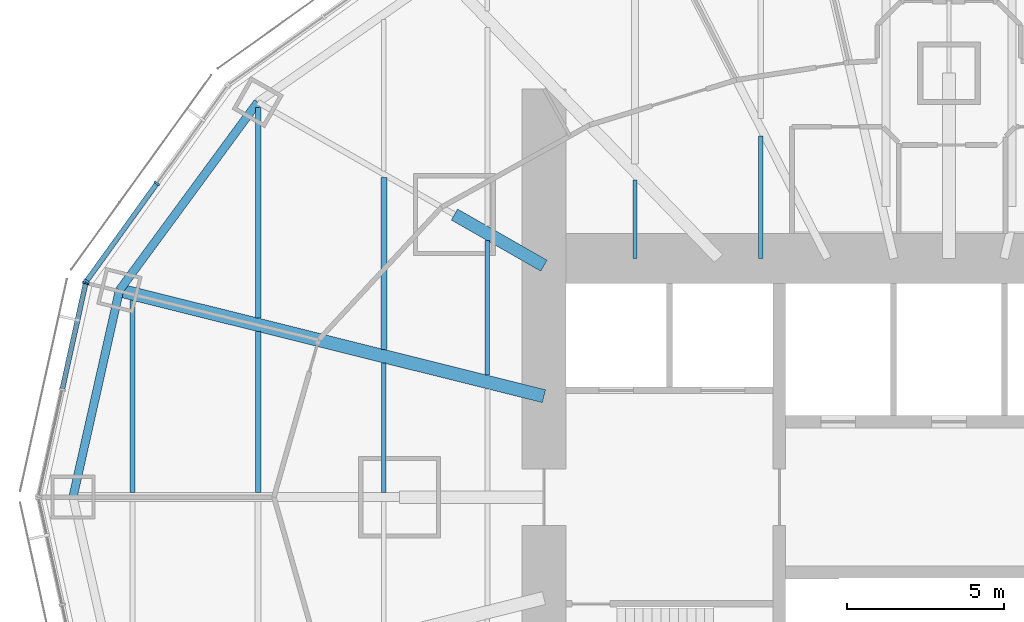
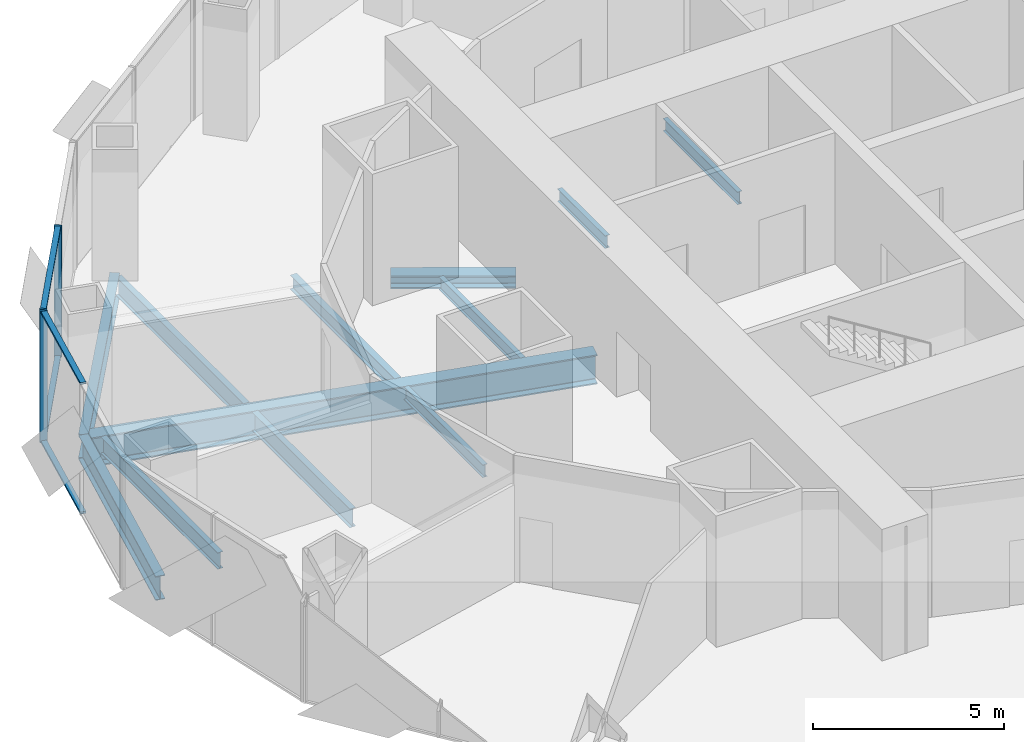
# One storey, part 4 of 17: 12 beams, 7 members, 2 elements without a shape of their own.
"""IFC4 building model written with IfcOpenShell, lengths in metres."""

from ifc_helpers import new_model, si_unit, direction, frame, origin, origin_2d, place, context, subcontext, project, spatial, rectangle, i_section, extrude, material, material_profile, profile_set, type_object, element, aggregate, save


model = new_model("IFC4")

# Units and contexts
model_context = context("Model", 3, precision=1e-05, world=origin(), true_north=direction((0.0, 1.0)))
body_context = subcontext(model_context, "Body", "Model", "MODEL_VIEW")
ifc_project = project(units=[si_unit("LENGTHUNIT", "METRE"), si_unit("AREAUNIT", "SQUARE_METRE"), si_unit("VOLUMEUNIT", "CUBIC_METRE"), si_unit("PLANEANGLEUNIT", "RADIAN"), si_unit("MASSUNIT", "GRAM", prefix="KILO")], contexts=[model_context])

# Site, building, storey
site_placement = place(None, origin())
site = spatial("IfcSite", under=ifc_project, at=site_placement, CompositionType="ELEMENT")
building_placement = place(site_placement, origin())
building = spatial("IfcBuilding", under=site, at=building_placement, Name="Lantaw Convention Tower", CompositionType="ELEMENT")
storey_placement = place(building_placement, frame((0.0, 0.0, 155.199951171875)))
storey = spatial("IfcBuildingStorey", under=building, at=storey_placement, Name="L36", CompositionType="ELEMENT", Elevation=155.199951171875)

# Beams
ifc_material_1 = material(Name="Steel ASTM A992", Category="steel")
ifc_material_profile_1 = material_profile(ifc_material_1, i_section(OverallWidth=0.2666015625, OverallDepth=0.76953125, WebThickness=0.015625, FlangeThickness=0.025390625, FilletRadius=0.0126953125, at=origin_2d()), Name="W30X132")
ifc_profile_set_1 = profile_set([ifc_material_profile_1], Name="Steel ASTM A992")
beam_type_1 = type_object("IfcBeamType", Name="Beam E W30X132", PredefinedType="SPANDREL", material=ifc_profile_set_1)
beam_1_placement = place(storey_placement, frame((-22.013916015625, 12.579345703125, -0.53466796875), z_axis=(-0.5923891972, -0.805651934176, 0.0), x_axis=(0.805651934176, -0.5923891972, 0.0)))
element("IfcBeam", 1, at=beam_1_placement, inside=storey, type_object=beam_type_1, Name="Edge beam 11", PredefinedType="SPANDREL", context=body_context, shape_type="SweptSolid", body=[
    extrude(i_section(OverallWidth=0.2666015625, OverallDepth=0.76953125, WebThickness=0.015625, FlangeThickness=0.025390625, FilletRadius=0.0126953125, at=origin_2d()), origin(), (0.0, 0.0, 1.0), 7.437744140625),
])
beam_2_placement = place(storey_placement, frame((-26.419921875, 6.587158203125, -0.53466796875), z_axis=(-0.219211877447, -0.975677279015, 0.0), x_axis=(0.975677279015, -0.219211877447, 0.0)))
element("IfcBeam", 2, at=beam_2_placement, inside=storey, type_object=beam_type_1, Name="Edge beam 12", PredefinedType="SPANDREL", context=body_context, shape_type="SweptSolid", body=[
    extrude(i_section(OverallWidth=0.2666015625, OverallDepth=0.76953125, WebThickness=0.015625, FlangeThickness=0.025390625, FilletRadius=0.0126953125, at=origin_2d()), origin(), (0.0, 0.0, 1.0), 6.75146484375),
])
ifc_material_profile_2 = material_profile(ifc_material_1, i_section(OverallWidth=0.421630859375, OverallDepth=0.937255859375, WebThickness=0.0224609375, FlangeThickness=0.039794921875, FilletRadius=0.02001953125, at=origin_2d()), Name="W36X282")
ifc_profile_set_2 = profile_set([ifc_material_profile_2], Name="Steel ASTM A992")
beam_type_2 = type_object("IfcBeamType", Name="Beam G W36X282", PredefinedType="BEAM", material=ifc_profile_set_2)
beam_3_placement = place(storey_placement, frame((-12.89990234375, 3.21630859375, -0.61865234375), z_axis=(-0.970296903132, 0.24191717544, 0.0), x_axis=(-0.24191717544, -0.970296903132, 0.0)))
element("IfcBeam", 3, at=beam_3_placement, inside=storey, type_object=beam_type_2, Name="Floor girder on ray 12", PredefinedType="BEAM", context=body_context, shape_type="SweptSolid", body=[
    extrude(i_section(OverallWidth=0.421630859375, OverallDepth=0.937255859375, WebThickness=0.0224609375, FlangeThickness=0.039794921875, FilletRadius=0.02001953125, at=origin_2d()), origin(), (0.0, 0.0, 1.0), 13.933837890625),
])
ifc_material_profile_3 = material_profile(ifc_material_1, i_section(OverallWidth=0.40380859375, OverallDepth=0.406494140625, WebThickness=0.027099609375, FlangeThickness=0.043701171875, FilletRadius=0.01513671875, at=origin_2d()), Name="W14X233")
ifc_profile_set_3 = profile_set([ifc_material_profile_3], Name="Steel ASTM A992")
beam_type_3 = type_object("IfcBeamType", Name="Beam GM W14X233", PredefinedType="BEAM", material=ifc_profile_set_3)
beam_4_placement = place(storey_placement, frame((-12.89990234375, 7.371337890625, -0.353271484375), z_axis=(-0.868238565244, 0.496146947811, 0.0), x_axis=(-0.496146947811, -0.868238565244, 0.0)))
element("IfcBeam", 4, at=beam_4_placement, inside=storey, type_object=beam_type_3, Name="Core link beam on ray 11", PredefinedType="BEAM", context=body_context, shape_type="SweptSolid", body=[
    extrude(i_section(OverallWidth=0.40380859375, OverallDepth=0.406494140625, WebThickness=0.027099609375, FlangeThickness=0.043701171875, FilletRadius=0.01513671875, at=origin_2d()), origin(), (0.0, 0.0, 1.0), 3.28271484375),
])
ifc_material_profile_4 = material_profile(ifc_material_1, i_section(OverallWidth=0.140380859375, OverallDepth=0.40380859375, WebThickness=0.007080078125, FlangeThickness=0.01123046875, FilletRadius=0.01025390625, at=origin_2d()), Name="W16X31")
ifc_profile_set_4 = profile_set([ifc_material_profile_4], Name="Steel ASTM A992")
beam_type_4 = type_object("IfcBeamType", Name="Beam J W16X31", PredefinedType="JOIST", material=ifc_profile_set_4)
beam_5_placement = place(storey_placement, frame((-18.0, 0.14599609375, -0.351806640625), z_axis=(0.0, 1.0, 0.0), x_axis=(-1.0, 0.0, 0.0)))
element("IfcBeam", 5, at=beam_5_placement, inside=storey, type_object=beam_type_4, Name="Floor joist", PredefinedType="JOIST", context=body_context, shape_type="SweptSolid", body=[
    extrude(i_section(OverallWidth=0.140380859375, OverallDepth=0.40380859375, WebThickness=0.007080078125, FlangeThickness=0.01123046875, FilletRadius=0.01025390625, at=origin_2d()), origin(), (0.0, 0.0, 1.0), 4.124755859375),
])
beam_6_placement = place(storey_placement, frame((-14.699951171875, 3.88232421875, -0.351806640625), z_axis=(0.0, 1.0, 0.0), x_axis=(-1.0, 0.0, 0.0)))
element("IfcBeam", 6, at=beam_6_placement, inside=storey, type_object=beam_type_4, Name="Floor joist", PredefinedType="JOIST", context=body_context, shape_type="SweptSolid", body=[
    extrude(i_section(OverallWidth=0.140380859375, OverallDepth=0.40380859375, WebThickness=0.007080078125, FlangeThickness=0.01123046875, FilletRadius=0.01025390625, at=origin_2d()), origin(), (0.0, 0.0, 1.0), 4.28515625),
])
beam_7_placement = place(storey_placement, frame((-10.0, 7.60009765625, -0.351806640625), z_axis=(0.0, 1.0, 0.0), x_axis=(-1.0, 0.0, 0.0)))
element("IfcBeam", 7, at=beam_7_placement, inside=storey, type_object=beam_type_4, Name="Floor joist", PredefinedType="JOIST", context=body_context, shape_type="SweptSolid", body=[
    extrude(i_section(OverallWidth=0.140380859375, OverallDepth=0.40380859375, WebThickness=0.007080078125, FlangeThickness=0.01123046875, FilletRadius=0.01025390625, at=origin_2d()), origin(), (0.0, 0.0, 1.0), 2.49560546875),
])
beam_8_placement = place(storey_placement, frame((-6.0, 7.60009765625, -0.351806640625), z_axis=(0.0, 1.0, 0.0), x_axis=(-1.0, 0.0, 0.0)))
element("IfcBeam", 8, at=beam_8_placement, inside=storey, type_object=beam_type_4, Name="Floor joist", PredefinedType="JOIST", context=body_context, shape_type="SweptSolid", body=[
    extrude(i_section(OverallWidth=0.140380859375, OverallDepth=0.40380859375, WebThickness=0.007080078125, FlangeThickness=0.01123046875, FilletRadius=0.01025390625, at=origin_2d()), origin(), (0.0, 0.0, 1.0), 3.895751953125),
])
ifc_material_profile_5 = material_profile(ifc_material_1, i_section(OverallWidth=0.1904296875, OverallDepth=0.457275390625, WebThickness=0.009033203125, FlangeThickness=0.014404296875, FilletRadius=0.01025390625, at=origin_2d()), Name="W18X50")
ifc_profile_set_5 = profile_set([ifc_material_profile_5], Name="Steel ASTM A992")
beam_type_5 = type_object("IfcBeamType", Name="Beam J W18X50", PredefinedType="JOIST", material=ifc_profile_set_5)
beam_9_placement = place(storey_placement, frame((-18.0, 4.705078125, -0.378662109375), z_axis=(0.0, 1.0, 0.0), x_axis=(-1.0, 0.0, 0.0)))
element("IfcBeam", 9, at=beam_9_placement, inside=storey, type_object=beam_type_5, Name="Floor joist", PredefinedType="JOIST", context=body_context, shape_type="SweptSolid", body=[
    extrude(i_section(OverallWidth=0.1904296875, OverallDepth=0.457275390625, WebThickness=0.009033203125, FlangeThickness=0.014404296875, FilletRadius=0.01025390625, at=origin_2d()), origin(), (0.0, 0.0, 1.0), 5.47802734375),
])
ifc_material_profile_6 = material_profile(ifc_material_1, i_section(OverallWidth=0.1650390625, OverallDepth=0.52587890625, WebThickness=0.0087890625, FlangeThickness=0.011474609375, FilletRadius=0.0126953125, at=origin_2d()), Name="W21X44")
ifc_profile_set_6 = profile_set([ifc_material_profile_6], Name="Steel ASTM A992")
beam_type_6 = type_object("IfcBeamType", Name="Beam J W21X44", PredefinedType="JOIST", material=ifc_profile_set_6)
beam_10_placement = place(storey_placement, frame((-26.0, 0.14599609375, -0.412841796875), z_axis=(0.0, 1.0, 0.0), x_axis=(-1.0, 0.0, 0.0)))
element("IfcBeam", 10, at=beam_10_placement, inside=storey, type_object=beam_type_6, Name="Floor joist", PredefinedType="JOIST", context=body_context, shape_type="SweptSolid", body=[
    extrude(i_section(OverallWidth=0.1650390625, OverallDepth=0.52587890625, WebThickness=0.0087890625, FlangeThickness=0.011474609375, FilletRadius=0.0126953125, at=origin_2d()), origin(), (0.0, 0.0, 1.0), 6.119140625),
])
ifc_material_profile_7 = material_profile(ifc_material_1, i_section(OverallWidth=0.177978515625, OverallDepth=0.599365234375, WebThickness=0.010009765625, FlangeThickness=0.012939453125, FilletRadius=0.012939453125, at=origin_2d()), Name="W24X55")
ifc_profile_set_7 = profile_set([ifc_material_profile_7], Name="Steel ASTM A992")
beam_type_7 = type_object("IfcBeamType", Name="Beam J W24X55", PredefinedType="JOIST", material=ifc_profile_set_7)
beam_11_placement = place(storey_placement, frame((-22.0, 0.14599609375, -0.44970703125), z_axis=(0.0, 1.0, 0.0), x_axis=(-1.0, 0.0, 0.0)))
element("IfcBeam", 11, at=beam_11_placement, inside=storey, type_object=beam_type_7, Name="Floor joist", PredefinedType="JOIST", context=body_context, shape_type="SweptSolid", body=[
    extrude(i_section(OverallWidth=0.177978515625, OverallDepth=0.599365234375, WebThickness=0.010009765625, FlangeThickness=0.012939453125, FilletRadius=0.012939453125, at=origin_2d()), origin(), (0.0, 0.0, 1.0), 5.121826171875),
])
beam_12_placement = place(storey_placement, frame((-22.0, 5.702392578125, -0.44970703125), z_axis=(0.0, 1.0, 0.0), x_axis=(-1.0, 0.0, 0.0)))
element("IfcBeam", 12, at=beam_12_placement, inside=storey, type_object=beam_type_7, Name="Floor joist", PredefinedType="JOIST", context=body_context, shape_type="SweptSolid", body=[
    extrude(i_section(OverallWidth=0.177978515625, OverallDepth=0.599365234375, WebThickness=0.010009765625, FlangeThickness=0.012939453125, FilletRadius=0.012939453125, at=origin_2d()), origin(), (0.0, 0.0, 1.0), 6.70654296875),
])

# Curtain wall, members
ifc_material_2 = material(Name="Aluminium framed curtain wall", Category="aluminium")
curtain_wall_type = type_object("IfcCurtainWallType", Name="Office curtain wall low rise, pale aluminium", PredefinedType="USERDEFINED", material=ifc_material_2)
curtain_wall_1_placement = place(storey_placement, origin())
curtain_wall_1 = element("IfcCurtainWall", 13, at=curtain_wall_1_placement, inside=storey, type_object=curtain_wall_type, Name="Office curtain wall low rise, pale aluminium L36", ObjectType="UNITISED CURTAIN WALL", PredefinedType="USERDEFINED")
ifc_material_3 = material(Name="Aluminium 6063-T6", Category="aluminium")
ifc_material_profile_8 = material_profile(ifc_material_3, rectangle(XDim=0.199951171875, YDim=0.06494140625, at=origin_2d()), Name="CW-O1 mullion 65x200")
ifc_profile_set_8 = profile_set([ifc_material_profile_8], Name="Aluminium 6063-T6")
member_type_1 = type_object("IfcMemberType", Name="CW-O1 mullion 65x200", PredefinedType="MULLION", material=ifc_profile_set_8)
member_1_placement = place(storey_placement, frame((-25.22802734375, 9.9892578125, -0.14990234375), z_axis=(0.0, 0.0, 1.0), x_axis=(0.811384633629, -0.584512597221, 0.0)))
member_1 = element("IfcMember", 14, at=member_1_placement, type_object=member_type_1, Name="CW-O1 mullion 2", PredefinedType="MULLION", context=body_context, shape_type="SweptSolid", body=[
    extrude(rectangle(XDim=0.199951171875, YDim=0.06494140625, at=origin_2d()), origin(), (0.0, 0.0, 1.0), 4.199951171875),
])
member_2_placement = place(storey_placement, frame((-27.46826171875, 6.879638671875, -0.14990234375), z_axis=(0.0, 0.0, 1.0), x_axis=(0.811384633629, -0.584512597221, 0.0)))
member_2 = element("IfcMember", 15, at=member_2_placement, type_object=member_type_1, Name="CW-O1 mullion 3", PredefinedType="MULLION", context=body_context, shape_type="SweptSolid", body=[
    extrude(rectangle(XDim=0.199951171875, YDim=0.06494140625, at=origin_2d()), origin(), (0.0, 0.0, 1.0), 4.199951171875),
])

# Curtain wall, member
curtain_wall_2_placement = place(storey_placement, origin())
curtain_wall_2 = element("IfcCurtainWall", 16, at=curtain_wall_2_placement, inside=storey, type_object=curtain_wall_type, Name="Office curtain wall low rise, pale aluminium L36", ObjectType="UNITISED CURTAIN WALL", PredefinedType="USERDEFINED")
member_3_placement = place(storey_placement, frame((-27.494140625, 6.821533203125, -0.14990234375), z_axis=(0.0, 0.0, 1.0), x_axis=(0.9764936509, -0.215546166174, 0.0)))
member_3 = element("IfcMember", 17, at=member_3_placement, type_object=member_type_1, Name="CW-O1 mullion 1", PredefinedType="MULLION", context=body_context, shape_type="SweptSolid", body=[
    extrude(rectangle(XDim=0.199951171875, YDim=0.06494140625, at=origin_2d()), origin(), (0.0, 0.0, 1.0), 4.199951171875),
])

# Member
ifc_material_profile_9 = material_profile(ifc_material_3, rectangle(XDim=0.159912109375, YDim=0.06494140625, at=origin_2d()), Name="CW-O1 transom 65x160")
ifc_profile_set_9 = profile_set([ifc_material_profile_9], Name="Aluminium 6063-T6")
member_type_2 = type_object("IfcMemberType", Name="CW-O1 transom 65x160", PredefinedType="USERDEFINED", material=ifc_profile_set_9)
member_4_placement = place(storey_placement, frame((-25.2470703125, 9.962890625, -0.117431640625), z_axis=(-0.584512973979, -0.811384362217, 0.0), x_axis=(0.811384362217, -0.584512973979, 0.0)))
member_4 = element("IfcMember", 18, at=member_4_placement, type_object=member_type_2, Name="CW-O1 transom 2.1", ObjectType="TRANSOM", PredefinedType="USERDEFINED", context=body_context, shape_type="SweptSolid", body=[
    extrude(rectangle(XDim=0.159912109375, YDim=0.06494140625, at=origin_2d()), origin(), (0.0, 0.0, 1.0), 3.767578125),
])

member_5_placement = place(storey_placement, frame((-25.2470703125, 9.962890625, 4.017578125), z_axis=(-0.584512973979, -0.811384362217, 0.0), x_axis=(0.811384362217, -0.584512973979, 0.0)))
member_5 = element("IfcMember", 19, at=member_5_placement, type_object=member_type_2, Name="CW-O1 transom 2.2", ObjectType="TRANSOM", PredefinedType="USERDEFINED", context=body_context, shape_type="SweptSolid", body=[
    extrude(rectangle(XDim=0.159912109375, YDim=0.06494140625, at=origin_2d()), origin(), (0.0, 0.0, 1.0), 3.767578125),
])

aggregate(curtain_wall_1, [member_1, member_2, member_4, member_5])

member_6_placement = place(storey_placement, frame((-27.501220703125, 6.789794921875, -0.117431640625), z_axis=(-0.21555115847, -0.976492548913, 0.0), x_axis=(0.976492548913, -0.21555115847, 0.0)))
member_6 = element("IfcMember", 20, at=member_6_placement, type_object=member_type_2, Name="CW-O1 transom 1.1", ObjectType="TRANSOM", PredefinedType="USERDEFINED", context=body_context, shape_type="SweptSolid", body=[
    extrude(rectangle(XDim=0.159912109375, YDim=0.06494140625, at=origin_2d()), origin(), (0.0, 0.0, 1.0), 3.411376953125),
])

member_7_placement = place(storey_placement, frame((-27.501220703125, 6.789794921875, 4.017578125), z_axis=(-0.21555115847, -0.976492548913, 0.0), x_axis=(0.976492548913, -0.21555115847, 0.0)))
member_7 = element("IfcMember", 21, at=member_7_placement, type_object=member_type_2, Name="CW-O1 transom 1.2", ObjectType="TRANSOM", PredefinedType="USERDEFINED", context=body_context, shape_type="SweptSolid", body=[
    extrude(rectangle(XDim=0.159912109375, YDim=0.06494140625, at=origin_2d()), origin(), (0.0, 0.0, 1.0), 3.411376953125),
])

aggregate(curtain_wall_2, [member_3, member_6, member_7])

save(model, "model.ifc")
